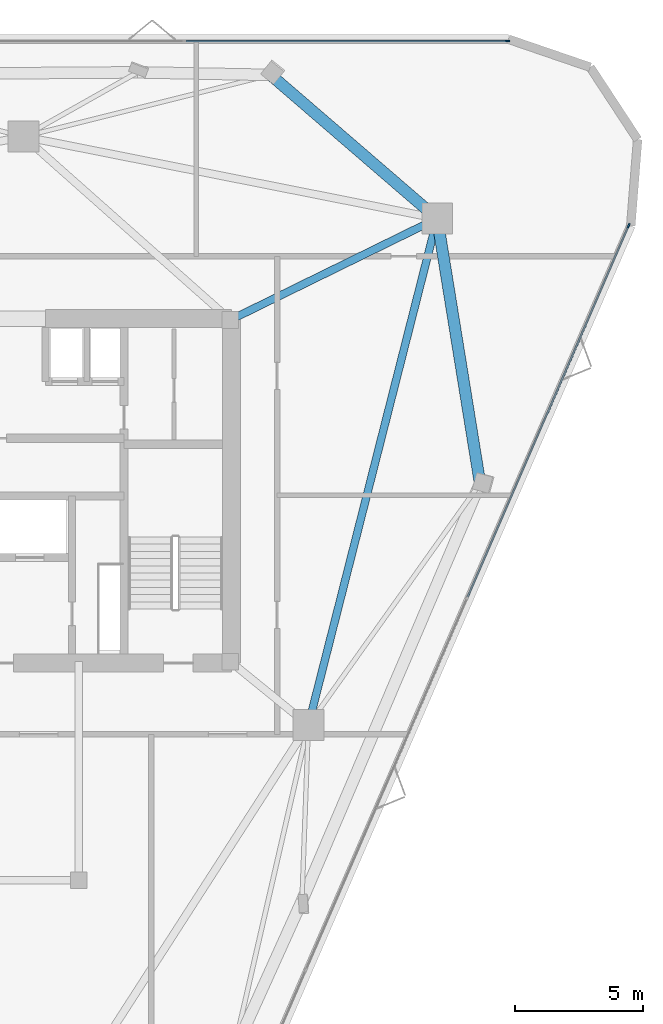
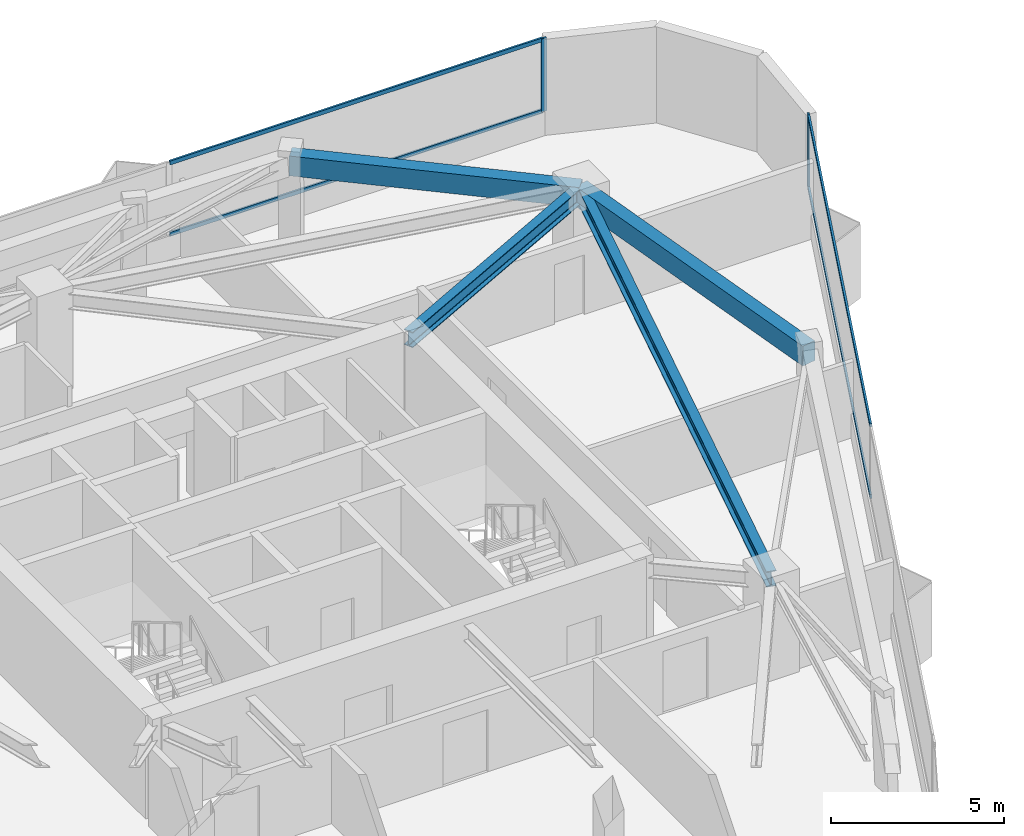
# One storey, part 7 of 11: 6 members, 4 beams, 2 elements without a shape of their own.
"""IFC4 building model written with IfcOpenShell, lengths in metres."""

import ifcopenshell
import ifcopenshell.guid

model = None  # the IFC model being written
_history = None  # IfcOwnerHistory: only IFC2X3 demands one
_inside = {}  # id of a spatial element -> (the spatial element, [elements in it])
_under = {}  # id of a project, library or spatial element -> (it, [spatial elements below it])
_declared = {}  # id of a project -> (the project, [libraries it declares])
_typed = {}  # id of a type object -> (the type object, [elements of that type])
_made_of = {}  # id of a material, layer set ... -> (it, [elements and type objects made of it])


def new_model(schema):
    """Start an empty IFC model of exactly this schema.

    Asked for "IFC4X3", IfcOpenShell would pick the latest addendum, in which some entities
    have other attributes; the version numbers below select the first issue.
    IFC2X3 requires an IfcOwnerHistory on every rooted entity: one is made here for all.
    """
    global model, _history
    if schema == "IFC4X3":
        model = ifcopenshell.file(schema_version=(4, 3, 0, 0))
    else:
        model = ifcopenshell.file(schema=schema)
    _inside.clear()
    _under.clear()
    _declared.clear()
    _typed.clear()
    _made_of.clear()
    _history = None
    if model.schema == "IFC2X3":
        org = make("IfcOrganization", Name="unknown")
        user = make(
            "IfcPersonAndOrganization",
            ThePerson=make("IfcPerson", FamilyName="unknown"),
            TheOrganization=org,
        )
        app = make(
            "IfcApplication",
            ApplicationDeveloper=org,
            Version="unknown",
            ApplicationFullName="unknown",
            ApplicationIdentifier="unknown",
        )
        _history = make(
            "IfcOwnerHistory",
            OwningUser=user,
            OwningApplication=app,
            ChangeAction="ADDED",
            CreationDate=0,
        )
    return model


def make(cls, **values):
    """One entity of the class cls with the attributes given. An attribute that is None is left unset."""
    return model.create_entity(
        cls, **{name: value for name, value in values.items() if value is not None}
    )


def rooted(cls, **values):
    """An entity with a GlobalId (a new one), such as an element, a storey or a relation."""
    return make(cls, GlobalId=ifcopenshell.guid.new(), OwnerHistory=_history, **values)


def si_unit(unit_type, name, prefix=None):
    """IfcSIUnit, for example si_unit("LENGTHUNIT", "METRE", prefix="MILLI")."""
    return make("IfcSIUnit", UnitType=unit_type, Prefix=prefix, Name=name)


def assignment(units):
    """IfcUnitAssignment: the units of a project."""
    return None if units is None else make("IfcUnitAssignment", Units=units)


def point(xyz):
    """IfcCartesianPoint."""
    return None if xyz is None else make("IfcCartesianPoint", Coordinates=xyz)


def direction(xyz):
    """IfcDirection."""
    return None if xyz is None else make("IfcDirection", DirectionRatios=xyz)


def frame(location, z_axis=None, x_axis=None):
    """IfcAxis2Placement3D, a coordinate frame: its origin and axes. An axis left out is left unset."""
    return make(
        "IfcAxis2Placement3D",
        Location=point(location),
        Axis=direction(z_axis),
        RefDirection=direction(x_axis),
    )


def frame_2d(location, x_axis=None):
    """IfcAxis2Placement2D, a coordinate frame in the plane: its origin and x axis."""
    return make(
        "IfcAxis2Placement2D", Location=point(location), RefDirection=direction(x_axis)
    )


def origin():
    """The frame at (0, 0, 0) with its axes left unset."""
    return frame((0.0, 0.0, 0.0))


def origin_2d():
    """The frame at (0, 0) in the plane with its x axis left unset."""
    return frame_2d((0.0, 0.0))


def place(relative_to, where):
    """IfcLocalPlacement: puts the frame where relative to a parent placement (None: the world)."""
    return make(
        "IfcLocalPlacement", PlacementRelTo=relative_to, RelativePlacement=where
    )


def context(
    kind, dimensions, precision=None, world=None, true_north=None, identifier=None
):
    """IfcGeometricRepresentationContext, for example the 3D "Model" context."""
    return make(
        "IfcGeometricRepresentationContext",
        ContextIdentifier=identifier,
        ContextType=kind,
        CoordinateSpaceDimension=dimensions,
        Precision=precision,
        WorldCoordinateSystem=world,
        TrueNorth=true_north,
    )


def subcontext(parent, identifier, kind, view, scale=None):
    """IfcGeometricRepresentationSubContext, for example "Body" below "Model"."""
    return make(
        "IfcGeometricRepresentationSubContext",
        ContextIdentifier=identifier,
        ContextType=kind,
        ParentContext=parent,
        TargetScale=scale,
        TargetView=view,
    )


def project(units=None, contexts=None):
    """IfcProject with its units and contexts."""
    return rooted(
        "IfcProject",
        Name="project",
        RepresentationContexts=contexts,
        UnitsInContext=assignment(units),
    )


def spatial(cls, under=None, at=None, **own):
    """A site, building, storey or space (cls), placed at a placement, below another one or the project."""
    s = rooted(cls, ObjectPlacement=at, **own)
    if under is not None:
        _under.setdefault(under.id(), (under, []))[1].append(s)
    return s


def profile(cls, at=None, kind="AREA", **sizes):
    """A parametric profile (cls). Its sizes go by their IFC names, for example OverallWidth=200.0."""
    return make(cls, ProfileType=kind, Position=at, **sizes)


def rectangle(**sizes):
    """IfcRectangleProfileDef."""
    return profile("IfcRectangleProfileDef", **sizes)


def i_section(**sizes):
    """IfcIShapeProfileDef."""
    return profile("IfcIShapeProfileDef", **sizes)


def extrude(swept, where, along, depth):
    """IfcExtrudedAreaSolid: the profile swept, set in the frame where, extruded along a direction by depth."""
    return make(
        "IfcExtrudedAreaSolid",
        SweptArea=swept,
        Position=where,
        ExtrudedDirection=direction(along),
        Depth=depth,
    )


def shape(context_of_items, identifier, shape_type, items):
    """IfcShapeRepresentation: the items that make up one representation, for example the "Body"."""
    return make(
        "IfcShapeRepresentation",
        ContextOfItems=context_of_items,
        RepresentationIdentifier=identifier,
        RepresentationType=shape_type,
        Items=items,
    )


def material(Name=None, Category=None):
    """IfcMaterial."""
    return make("IfcMaterial", Name=Name, Category=Category)


def layer(
    of_material, thickness, ventilated=None, Name=None, Category=None, Priority=None
):
    """IfcMaterialLayer: one layer of a wall or slab, of a material (None: an air gap)."""
    return make(
        "IfcMaterialLayer",
        Material=of_material,
        LayerThickness=thickness,
        IsVentilated=ventilated,
        Name=Name,
        Category=Category,
        Priority=Priority,
    )


def layer_set(layers, Name=None):
    """IfcMaterialLayerSet."""
    return make("IfcMaterialLayerSet", MaterialLayers=layers, LayerSetName=Name)


def material_profile(
    of_material, cross_section, Name=None, Category=None, Priority=None
):
    """IfcMaterialProfile: a cross section and its material."""
    return make(
        "IfcMaterialProfile",
        Name=Name,
        Material=of_material,
        Profile=cross_section,
        Priority=Priority,
        Category=Category,
    )


def profile_set(profiles, Name=None, composite=None):
    """IfcMaterialProfileSet."""
    return make(
        "IfcMaterialProfileSet",
        Name=Name,
        MaterialProfiles=profiles,
        CompositeProfile=composite,
    )


def made_of(thing, what):
    """Note that an element or type object is made of a material, layer set ...; save() writes the relation."""
    if what is not None:
        _made_of.setdefault(what.id(), (what, []))[1].append(thing)
    return thing


def type_object(cls, material=None, **own):
    """A type object (cls), such as IfcWallType, which elements share."""
    return made_of(rooted(cls, **own), material)


def element(
    cls,
    number,
    at=None,
    inside=None,
    cuts=None,
    type_object=None,
    material=None,
    context=None,
    identifier="Body",
    shape_type=None,
    held_by="IfcProductDefinitionShape",
    body=None,
    shapes=None,
    **own,
):
    """One element of the class cls, such as IfcWall. Its Tag is "e" and its number.

    at: its placement. inside: the storey or other place that contains it. cuts: it is an
    opening in that element (IfcRelVoidsElement). A single representation is given by context,
    identifier, shape_type and body (its items); several are given by shapes. held_by: the class
    of the entity that holds the representations. save() writes the other relations.
    """
    e = rooted(cls, Tag="e%d" % number, ObjectPlacement=at, **own)
    if body is not None:
        shapes = [shape(context, identifier, shape_type, body)]
    if shapes is not None:
        e.Representation = make(held_by, Representations=shapes)
    if inside is not None:
        _inside.setdefault(inside.id(), (inside, []))[1].append(e)
    if cuts is not None:
        rooted(
            "IfcRelVoidsElement", RelatingBuildingElement=cuts, RelatedOpeningElement=e
        )
    if type_object is not None:
        _typed.setdefault(type_object.id(), (type_object, []))[1].append(e)
    return made_of(e, material)


def aggregate(whole, parts):
    """IfcRelAggregates: a whole, such as a stair, and the parts it consists of."""
    return rooted("IfcRelAggregates", RelatingObject=whole, RelatedObjects=parts)


def save(model, path):
    """Write the relations noted so far, then the file.

    IfcRelAggregates (storeys below a building ...), IfcRelContainedInSpatialStructure (elements
    in a storey), IfcRelDefinesByType, IfcRelAssociatesMaterial and IfcRelDeclares: one each for
    every whole, place, type object, material and project.
    """
    for whole, parts in _under.values():
        aggregate(whole, parts)
    for where, things in _inside.values():
        rooted(
            "IfcRelContainedInSpatialStructure",
            RelatedElements=things,
            RelatingStructure=where,
        )
    for kind, things in _typed.values():
        rooted("IfcRelDefinesByType", RelatedObjects=things, RelatingType=kind)
    for what, things in _made_of.values():
        rooted("IfcRelAssociatesMaterial", RelatedObjects=things, RelatingMaterial=what)
    for by, libraries in _declared.values():
        rooted("IfcRelDeclares", RelatingContext=by, RelatedDefinitions=libraries)
    model.write(path)


model = new_model("IFC4")

# Units and contexts
model_context = context("Model", 3, precision=1e-05, world=origin(), true_north=direction((0.0, 1.0)))
body_context = subcontext(model_context, "Body", "Model", "MODEL_VIEW")
ifc_project = project(units=[si_unit("LENGTHUNIT", "METRE"), si_unit("AREAUNIT", "SQUARE_METRE"), si_unit("VOLUMEUNIT", "CUBIC_METRE"), si_unit("PLANEANGLEUNIT", "RADIAN"), si_unit("MASSUNIT", "GRAM", prefix="KILO")], contexts=[model_context])

# Site, building, storey
site_placement = place(None, origin())
site = spatial("IfcSite", under=ifc_project, at=site_placement, CompositionType="ELEMENT")
building_placement = place(site_placement, origin())
building = spatial("IfcBuilding", under=site, at=building_placement, Name="Talyreon Biosciences Tower", CompositionType="ELEMENT")
storey_placement = place(building_placement, frame((0.0, 0.0, 242.550048828125)))
storey = spatial("IfcBuildingStorey", under=building, at=storey_placement, Name="L64", CompositionType="ELEMENT", Elevation=242.550048828125)

# Curtain wall, member
ifc_material_1 = material(Name="Thermally broken aluminium and low-E glazing", Category="aluminium")
ifc_layer = layer(ifc_material_1, 0.175048828125)
ifc_layer_set = layer_set([ifc_layer], Name="Thermally broken aluminium and low-E glazing")
curtain_wall_type = type_object("IfcCurtainWallType", Name="CurtainWall_Zone5CompLab", PredefinedType="NOTDEFINED", material=ifc_layer_set)
curtain_wall_1_placement = place(storey_placement, origin())
curtain_wall_1 = element("IfcCurtainWall", 1, at=curtain_wall_1_placement, inside=storey, type_object=curtain_wall_type, Name="L64 Unitised Curtain Wall FCW-L64-04", PredefinedType="NOTDEFINED")
ifc_material_2 = material(Name="Anodised thermally broken aluminium", Category="aluminium")
ifc_material_profile_1 = material_profile(ifc_material_2, rectangle(XDim=0.06494140625, YDim=0.179931640625, at=origin_2d()), Name="ALUM MULLION 65x180")
ifc_profile_set_1 = profile_set([ifc_material_profile_1], Name="Anodised thermally broken aluminium")
member_type_1 = type_object("IfcMemberType", Name="CWMullion_65x180", PredefinedType="MULLION", material=ifc_profile_set_1)
member_1_placement = place(storey_placement, frame((84.836669921875, 85.504638671875, 0.81005859375), z_axis=(0.0, 0.0, 1.0), x_axis=(0.0, 1.0, 0.0)))
member_1 = element("IfcMember", 2, at=member_1_placement, type_object=member_type_1, Name="CW6 mullion 4", PredefinedType="MULLION", context=body_context, shape_type="SweptSolid", body=[
    extrude(rectangle(XDim=0.06494140625, YDim=0.179931640625, at=origin_2d()), origin(), (0.0, 0.0, 1.0), 2.58984375),
])

curtain_wall_2_placement = place(storey_placement, origin())
curtain_wall_2 = element("IfcCurtainWall", 3, at=curtain_wall_2_placement, inside=storey, type_object=curtain_wall_type, Name="L64 Unitised Curtain Wall FCW-L64-08", PredefinedType="NOTDEFINED")
member_2_placement = place(storey_placement, frame((89.5537109375, 78.31787109375, 0.81005859375), z_axis=(0.0, 0.0, 1.0), x_axis=(0.917458244079, -0.397832088162, 0.0)))
member_2 = element("IfcMember", 4, at=member_2_placement, type_object=member_type_1, Name="CW6 mullion 1", PredefinedType="MULLION", context=body_context, shape_type="SweptSolid", body=[
    extrude(rectangle(XDim=0.06494140625, YDim=0.179931640625, at=origin_2d()), origin(), (0.0, 0.0, 1.0), 2.58984375),
])

# Member
ifc_material_profile_2 = material_profile(ifc_material_2, rectangle(XDim=0.06494140625, YDim=0.139892578125, at=origin_2d()), Name="ALUM TRANSOM 65x140")
ifc_profile_set_2 = profile_set([ifc_material_profile_2], Name="Anodised thermally broken aluminium")
member_type_2 = type_object("IfcMemberType", Name="CWTransom_65x140", PredefinedType="USERDEFINED", material=ifc_profile_set_2)
member_3_placement = place(storey_placement, frame((72.322265625, 85.504638671875, 0.842529296875), z_axis=(1.0, 0.0, 0.0), x_axis=(0.0, 1.0, 0.0)))
member_3 = element("IfcMember", 5, at=member_3_placement, type_object=member_type_2, Name="CW6 transom 3.1", ObjectType="TRANSOM", PredefinedType="USERDEFINED", context=body_context, shape_type="SweptSolid", body=[
    extrude(rectangle(XDim=0.06494140625, YDim=0.139892578125, at=origin_2d()), origin(), (0.0, 0.0, 1.0), 12.48193359375),
])

member_4_placement = place(storey_placement, frame((72.322265625, 85.504638671875, 3.367431640625), z_axis=(1.0, 0.0, 0.0), x_axis=(0.0, 1.0, 0.0)))
member_4 = element("IfcMember", 6, at=member_4_placement, type_object=member_type_2, Name="CW6 transom 3.2", ObjectType="TRANSOM", PredefinedType="USERDEFINED", context=body_context, shape_type="SweptSolid", body=[
    extrude(rectangle(XDim=0.06494140625, YDim=0.139892578125, at=origin_2d()), origin(), (0.0, 0.0, 1.0), 12.48193359375),
])

aggregate(curtain_wall_1, [member_1, member_3, member_4])

member_5_placement = place(storey_placement, frame((89.540771484375, 78.2880859375, 0.842529296875), z_axis=(-0.397835044798, -0.917456962004, 0.0), x_axis=(0.917456962004, -0.397835044798, 0.0)))
member_5 = element("IfcMember", 7, at=member_5_placement, type_object=member_type_2, Name="CW6 transom 1.1", ObjectType="TRANSOM", PredefinedType="USERDEFINED", context=body_context, shape_type="SweptSolid", body=[
    extrude(rectangle(XDim=0.06494140625, YDim=0.139892578125, at=origin_2d()), origin(), (0.0, 0.0, 1.0), 15.71240234375),
])

member_6_placement = place(storey_placement, frame((89.540771484375, 78.2880859375, 3.367431640625), z_axis=(-0.397835044798, -0.917456962004, 0.0), x_axis=(0.917456962004, -0.397835044798, 0.0)))
member_6 = element("IfcMember", 8, at=member_6_placement, type_object=member_type_2, Name="CW6 transom 1.2", ObjectType="TRANSOM", PredefinedType="USERDEFINED", context=body_context, shape_type="SweptSolid", body=[
    extrude(rectangle(XDim=0.06494140625, YDim=0.139892578125, at=origin_2d()), origin(), (0.0, 0.0, 1.0), 15.71240234375),
])

aggregate(curtain_wall_2, [member_2, member_5, member_6])

# Beams
ifc_material_3 = material(Name="Precast concrete C45/55", Category="concrete")
ifc_material_profile_3 = material_profile(ifc_material_3, rectangle(XDim=0.449951171875, YDim=0.699951171875, at=origin_2d()), Name="RCB 450x700")
ifc_profile_set_3 = profile_set([ifc_material_profile_3], Name="Precast concrete C45/55")
beam_type_1 = type_object("IfcBeamType", Name="ExpressedSpandrel_450x700", PredefinedType="SPANDREL", material=ifc_profile_set_3)
beam_1_placement = place(storey_placement, frame((83.770263671875, 68.288818359375, 3.050048828125), z_axis=(-0.159707939171, 0.987164309609, 0.0), x_axis=(-0.987164309609, -0.159707939171, 0.0)))
element("IfcBeam", 9, at=beam_1_placement, inside=storey, type_object=beam_type_1, Name="L64 Expressed Horizontal Concrete Spandrel 04", PredefinedType="SPANDREL", context=body_context, shape_type="SweptSolid", body=[
    extrude(rectangle(XDim=0.449951171875, YDim=0.699951171875, at=origin_2d()), origin(), (0.0, 0.0, 1.0), 10.44384765625),
])
beam_2_placement = place(storey_placement, frame((82.102294921875, 78.5986328125, 3.050048828125), z_axis=(-0.757416281683, 0.652932290702, 0.0), x_axis=(-0.652932290702, -0.757416281683, 0.0)))
element("IfcBeam", 10, at=beam_2_placement, inside=storey, type_object=beam_type_1, Name="L64 Expressed Horizontal Concrete Spandrel 05", PredefinedType="SPANDREL", context=body_context, shape_type="SweptSolid", body=[
    extrude(rectangle(XDim=0.449951171875, YDim=0.699951171875, at=origin_2d()), origin(), (0.0, 0.0, 1.0), 8.563720703125),
])
ifc_material_4 = material(Name="Steel SM355", Category="steel")
ifc_material_profile_4 = material_profile(ifc_material_4, i_section(OverallWidth=0.300048828125, OverallDepth=0.550048828125, WebThickness=0.014892578125, FlangeThickness=0.029052734375, FilletRadius=0.027099609375, at=origin_2d()), Name="HE550B")
ifc_profile_set_4 = profile_set([ifc_material_profile_4], Name="Steel SM355")
beam_type_2 = type_object("IfcBeamType", Name="SteelBeam_HE550B", PredefinedType="BEAM", material=ifc_profile_set_4)
beam_3_placement = place(storey_placement, frame((77.086181640625, 58.88037109375, 3.125), z_axis=(0.246537082299, 0.969133358755, 0.0), x_axis=(-0.969133358755, 0.246537082299, 0.0)))
element("IfcBeam", 11, at=beam_3_placement, inside=storey, type_object=beam_type_2, Name="L64 Mega-Ring Girder 2", PredefinedType="BEAM", context=body_context, shape_type="SweptSolid", body=[
    extrude(i_section(OverallWidth=0.300048828125, OverallDepth=0.550048828125, WebThickness=0.014892578125, FlangeThickness=0.029052734375, FilletRadius=0.027099609375, at=origin_2d()), origin(), (0.0, 0.0, 1.0), 20.34619140625),
])
beam_4_placement = place(storey_placement, frame((74.050048828125, 74.64990234375, 3.125), z_axis=(0.897852360314, 0.440296648952, 0.0), x_axis=(-0.440296648952, 0.897852360314, 0.0)))
element("IfcBeam", 12, at=beam_4_placement, inside=storey, type_object=beam_type_2, Name="L64 Radial Primary Girder 3", PredefinedType="BEAM", context=body_context, shape_type="SweptSolid", body=[
    extrude(i_section(OverallWidth=0.300048828125, OverallDepth=0.550048828125, WebThickness=0.014892578125, FlangeThickness=0.029052734375, FilletRadius=0.027099609375, at=origin_2d()), origin(), (0.0, 0.0, 1.0), 8.96826171875),
])

save(model, "model.ifc")
